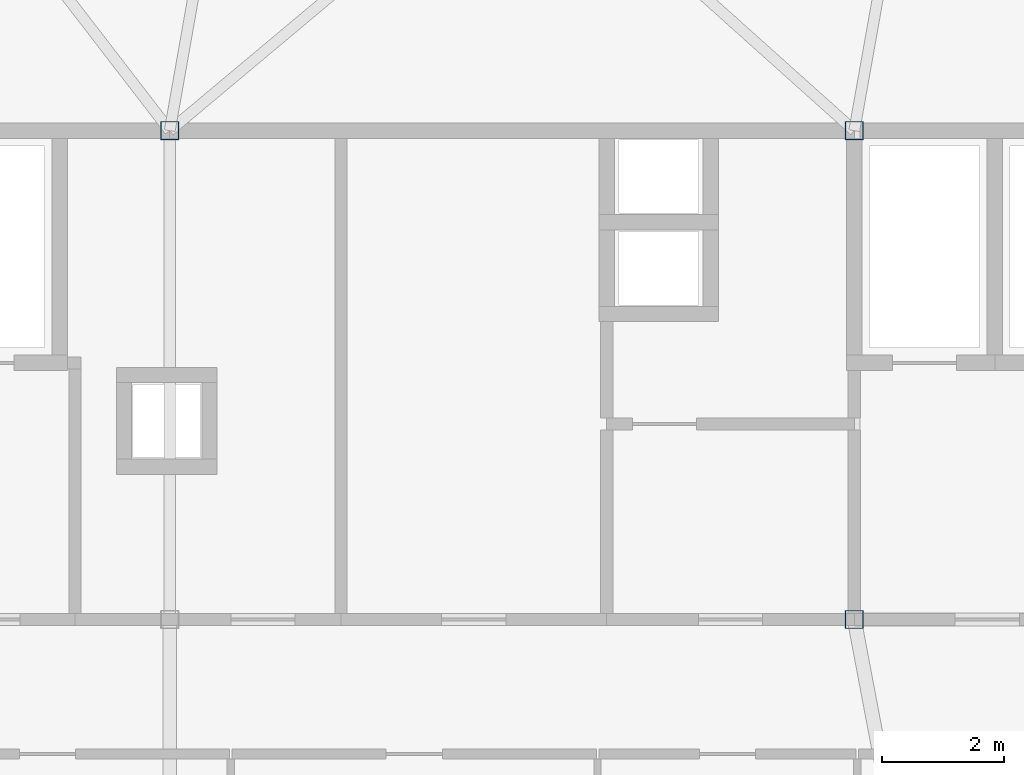
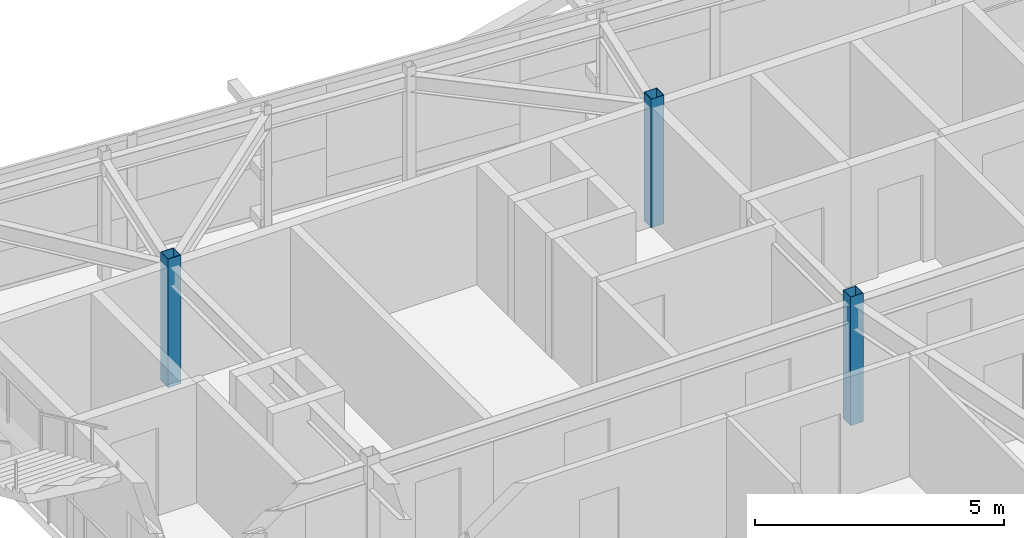
# One storey, part 4 of 34: 3 columns.
"""IFC4 building model written with IfcOpenShell, lengths in metres."""

import ifcopenshell
import ifcopenshell.guid

model = None  # the IFC model being written
_history = None  # IfcOwnerHistory: only IFC2X3 demands one
_inside = {}  # id of a spatial element -> (the spatial element, [elements in it])
_under = {}  # id of a project, library or spatial element -> (it, [spatial elements below it])
_declared = {}  # id of a project -> (the project, [libraries it declares])
_typed = {}  # id of a type object -> (the type object, [elements of that type])
_made_of = {}  # id of a material, layer set ... -> (it, [elements and type objects made of it])


def new_model(schema):
    """Start an empty IFC model of exactly this schema.

    Asked for "IFC4X3", IfcOpenShell would pick the latest addendum, in which some entities
    have other attributes; the version numbers below select the first issue.
    IFC2X3 requires an IfcOwnerHistory on every rooted entity: one is made here for all.
    """
    global model, _history
    if schema == "IFC4X3":
        model = ifcopenshell.file(schema_version=(4, 3, 0, 0))
    else:
        model = ifcopenshell.file(schema=schema)
    _inside.clear()
    _under.clear()
    _declared.clear()
    _typed.clear()
    _made_of.clear()
    _history = None
    if model.schema == "IFC2X3":
        org = make("IfcOrganization", Name="unknown")
        user = make(
            "IfcPersonAndOrganization",
            ThePerson=make("IfcPerson", FamilyName="unknown"),
            TheOrganization=org,
        )
        app = make(
            "IfcApplication",
            ApplicationDeveloper=org,
            Version="unknown",
            ApplicationFullName="unknown",
            ApplicationIdentifier="unknown",
        )
        _history = make(
            "IfcOwnerHistory",
            OwningUser=user,
            OwningApplication=app,
            ChangeAction="ADDED",
            CreationDate=0,
        )
    return model


def make(cls, **values):
    """One entity of the class cls with the attributes given. An attribute that is None is left unset."""
    return model.create_entity(
        cls, **{name: value for name, value in values.items() if value is not None}
    )


def rooted(cls, **values):
    """An entity with a GlobalId (a new one), such as an element, a storey or a relation."""
    return make(cls, GlobalId=ifcopenshell.guid.new(), OwnerHistory=_history, **values)


def si_unit(unit_type, name, prefix=None):
    """IfcSIUnit, for example si_unit("LENGTHUNIT", "METRE", prefix="MILLI")."""
    return make("IfcSIUnit", UnitType=unit_type, Prefix=prefix, Name=name)


def assignment(units):
    """IfcUnitAssignment: the units of a project."""
    return None if units is None else make("IfcUnitAssignment", Units=units)


def point(xyz):
    """IfcCartesianPoint."""
    return None if xyz is None else make("IfcCartesianPoint", Coordinates=xyz)


def direction(xyz):
    """IfcDirection."""
    return None if xyz is None else make("IfcDirection", DirectionRatios=xyz)


def frame(location, z_axis=None, x_axis=None):
    """IfcAxis2Placement3D, a coordinate frame: its origin and axes. An axis left out is left unset."""
    return make(
        "IfcAxis2Placement3D",
        Location=point(location),
        Axis=direction(z_axis),
        RefDirection=direction(x_axis),
    )


def frame_2d(location, x_axis=None):
    """IfcAxis2Placement2D, a coordinate frame in the plane: its origin and x axis."""
    return make(
        "IfcAxis2Placement2D", Location=point(location), RefDirection=direction(x_axis)
    )


def origin():
    """The frame at (0, 0, 0) with its axes left unset."""
    return frame((0.0, 0.0, 0.0))


def origin_2d():
    """The frame at (0, 0) in the plane with its x axis left unset."""
    return frame_2d((0.0, 0.0))


def place(relative_to, where):
    """IfcLocalPlacement: puts the frame where relative to a parent placement (None: the world)."""
    return make(
        "IfcLocalPlacement", PlacementRelTo=relative_to, RelativePlacement=where
    )


def context(
    kind, dimensions, precision=None, world=None, true_north=None, identifier=None
):
    """IfcGeometricRepresentationContext, for example the 3D "Model" context."""
    return make(
        "IfcGeometricRepresentationContext",
        ContextIdentifier=identifier,
        ContextType=kind,
        CoordinateSpaceDimension=dimensions,
        Precision=precision,
        WorldCoordinateSystem=world,
        TrueNorth=true_north,
    )


def subcontext(parent, identifier, kind, view, scale=None):
    """IfcGeometricRepresentationSubContext, for example "Body" below "Model"."""
    return make(
        "IfcGeometricRepresentationSubContext",
        ContextIdentifier=identifier,
        ContextType=kind,
        ParentContext=parent,
        TargetScale=scale,
        TargetView=view,
    )


def project(units=None, contexts=None):
    """IfcProject with its units and contexts."""
    return rooted(
        "IfcProject",
        Name="project",
        RepresentationContexts=contexts,
        UnitsInContext=assignment(units),
    )


def spatial(cls, under=None, at=None, **own):
    """A site, building, storey or space (cls), placed at a placement, below another one or the project."""
    s = rooted(cls, ObjectPlacement=at, **own)
    if under is not None:
        _under.setdefault(under.id(), (under, []))[1].append(s)
    return s


def profile(cls, at=None, kind="AREA", **sizes):
    """A parametric profile (cls). Its sizes go by their IFC names, for example OverallWidth=200.0."""
    return make(cls, ProfileType=kind, Position=at, **sizes)


def hollow_rectangle(**sizes):
    """IfcRectangleHollowProfileDef."""
    return profile("IfcRectangleHollowProfileDef", **sizes)


def extrude(swept, where, along, depth):
    """IfcExtrudedAreaSolid: the profile swept, set in the frame where, extruded along a direction by depth."""
    return make(
        "IfcExtrudedAreaSolid",
        SweptArea=swept,
        Position=where,
        ExtrudedDirection=direction(along),
        Depth=depth,
    )


def shape(context_of_items, identifier, shape_type, items):
    """IfcShapeRepresentation: the items that make up one representation, for example the "Body"."""
    return make(
        "IfcShapeRepresentation",
        ContextOfItems=context_of_items,
        RepresentationIdentifier=identifier,
        RepresentationType=shape_type,
        Items=items,
    )


def source(mapping_origin, context_of_items, identifier, shape_type, items):
    """IfcRepresentationMap: a shape defined once, which mapped items show again and again."""
    return make(
        "IfcRepresentationMap",
        MappingOrigin=mapping_origin,
        MappedRepresentation=shape(context_of_items, identifier, shape_type, items),
    )


def transform(
    local_origin,
    x_axis=None,
    y_axis=None,
    z_axis=None,
    scale=None,
    scale2=None,
    scale3=None,
    uniform=True,
):
    """IfcCartesianTransformationOperator3D, or its non-uniform kind. x_axis, y_axis, z_axis: its Axis1, 2, 3."""
    if uniform:
        return make(
            "IfcCartesianTransformationOperator3D",
            Axis1=direction(x_axis),
            Axis2=direction(y_axis),
            LocalOrigin=point(local_origin),
            Scale=scale,
            Axis3=direction(z_axis),
        )
    return make(
        "IfcCartesianTransformationOperator3DnonUniform",
        Axis1=direction(x_axis),
        Axis2=direction(y_axis),
        LocalOrigin=point(local_origin),
        Scale=scale,
        Axis3=direction(z_axis),
        Scale2=scale2,
        Scale3=scale3,
    )


def mapped(mapping_source, mapping_target):
    """IfcMappedItem: shows the shape of a source again, moved by a transform."""
    return make(
        "IfcMappedItem", MappingSource=mapping_source, MappingTarget=mapping_target
    )


def material(Name=None, Category=None):
    """IfcMaterial."""
    return make("IfcMaterial", Name=Name, Category=Category)


def material_profile(
    of_material, cross_section, Name=None, Category=None, Priority=None
):
    """IfcMaterialProfile: a cross section and its material."""
    return make(
        "IfcMaterialProfile",
        Name=Name,
        Material=of_material,
        Profile=cross_section,
        Priority=Priority,
        Category=Category,
    )


def profile_set(profiles, Name=None, composite=None):
    """IfcMaterialProfileSet."""
    return make(
        "IfcMaterialProfileSet",
        Name=Name,
        MaterialProfiles=profiles,
        CompositeProfile=composite,
    )


def made_of(thing, what):
    """Note that an element or type object is made of a material, layer set ...; save() writes the relation."""
    if what is not None:
        _made_of.setdefault(what.id(), (what, []))[1].append(thing)
    return thing


def type_object(cls, material=None, **own):
    """A type object (cls), such as IfcWallType, which elements share."""
    return made_of(rooted(cls, **own), material)


def element(
    cls,
    number,
    at=None,
    inside=None,
    cuts=None,
    type_object=None,
    material=None,
    context=None,
    identifier="Body",
    shape_type=None,
    held_by="IfcProductDefinitionShape",
    body=None,
    shapes=None,
    **own,
):
    """One element of the class cls, such as IfcWall. Its Tag is "e" and its number.

    at: its placement. inside: the storey or other place that contains it. cuts: it is an
    opening in that element (IfcRelVoidsElement). A single representation is given by context,
    identifier, shape_type and body (its items); several are given by shapes. held_by: the class
    of the entity that holds the representations. save() writes the other relations.
    """
    e = rooted(cls, Tag="e%d" % number, ObjectPlacement=at, **own)
    if body is not None:
        shapes = [shape(context, identifier, shape_type, body)]
    if shapes is not None:
        e.Representation = make(held_by, Representations=shapes)
    if inside is not None:
        _inside.setdefault(inside.id(), (inside, []))[1].append(e)
    if cuts is not None:
        rooted(
            "IfcRelVoidsElement", RelatingBuildingElement=cuts, RelatedOpeningElement=e
        )
    if type_object is not None:
        _typed.setdefault(type_object.id(), (type_object, []))[1].append(e)
    return made_of(e, material)


def aggregate(whole, parts):
    """IfcRelAggregates: a whole, such as a stair, and the parts it consists of."""
    return rooted("IfcRelAggregates", RelatingObject=whole, RelatedObjects=parts)


def save(model, path):
    """Write the relations noted so far, then the file.

    IfcRelAggregates (storeys below a building ...), IfcRelContainedInSpatialStructure (elements
    in a storey), IfcRelDefinesByType, IfcRelAssociatesMaterial and IfcRelDeclares: one each for
    every whole, place, type object, material and project.
    """
    for whole, parts in _under.values():
        aggregate(whole, parts)
    for where, things in _inside.values():
        rooted(
            "IfcRelContainedInSpatialStructure",
            RelatedElements=things,
            RelatingStructure=where,
        )
    for kind, things in _typed.values():
        rooted("IfcRelDefinesByType", RelatedObjects=things, RelatingType=kind)
    for what, things in _made_of.values():
        rooted("IfcRelAssociatesMaterial", RelatedObjects=things, RelatingMaterial=what)
    for by, libraries in _declared.values():
        rooted("IfcRelDeclares", RelatingContext=by, RelatedDefinitions=libraries)
    model.write(path)


model = new_model("IFC4")

# Units and contexts
model_context = context("Model", 3, precision=1e-05, world=origin(), true_north=direction((0.0, 1.0)))
body_context = subcontext(model_context, "Body", "Model", "MODEL_VIEW")
ifc_project = project(units=[si_unit("LENGTHUNIT", "METRE"), si_unit("AREAUNIT", "SQUARE_METRE"), si_unit("VOLUMEUNIT", "CUBIC_METRE"), si_unit("PLANEANGLEUNIT", "RADIAN"), si_unit("MASSUNIT", "GRAM", prefix="KILO")], contexts=[model_context])

# Site, building, storey
site_placement = place(None, origin())
site = spatial("IfcSite", under=ifc_project, at=site_placement, CompositionType="ELEMENT")
building_placement = place(site_placement, origin())
building = spatial("IfcBuilding", under=site, at=building_placement, Name="Taldren Reach Tower", CompositionType="ELEMENT")
storey_placement = place(building_placement, frame((0.0, 0.0, 242.89990234375)))
storey = spatial("IfcBuildingStorey", under=building, at=storey_placement, Name="L74", CompositionType="ELEMENT", Elevation=242.89990234375)

# Columns
ifc_material = material(Name="Steel Gr 450 (C450L0)", Category="steel")
ifc_material_profile = material_profile(ifc_material, hollow_rectangle(XDim=0.300048828125, YDim=0.300048828125, WallThickness=0.012451171875, at=origin_2d()), Name="300x300x12.5SHS")
ifc_profile_set = profile_set([ifc_material_profile], Name="Steel Gr 450 (C450L0)")
column_type = type_object("IfcColumnType", Name="COL-SHS300", PredefinedType="COLUMN", material=ifc_profile_set)
shared_shape = source(origin(), body_context, "Body", "SweptSolid", [
    extrude(hollow_rectangle(XDim=0.300048828125, YDim=0.300048828125, WallThickness=0.012451171875, at=origin_2d()), origin(), (0.0, 0.0, 1.0), 3.150146484375),
])
for number, where, z_axis, x_axis, name in (
    (1, (39.199951171875, 24.0, 0.0), (0.0, 0.0, 1.0), (1.0, 0.0, 0.0), "Mega column MC-C3 L74"),
    (2, (28.0, 32.0, 0.0), (0.0, 0.0, 1.0), (1.0, 0.0, 0.0), "Mega column MC-C6 L74"),
    (3, (39.199951171875, 32.0, 0.0), (0.0, 0.0, 1.0), (1.0, 0.0, 0.0), "Mega column MC-C7 L74"),
):
    element("IfcColumn", number, at=place(storey_placement, frame(where, z_axis=z_axis, x_axis=x_axis)), inside=storey, type_object=column_type, Name=name, PredefinedType="COLUMN", context=body_context, shape_type="MappedRepresentation", body=[
        mapped(shared_shape, transform((0.0, 0.0, 0.0), scale=1.0)),
    ])

save(model, "model.ifc")
